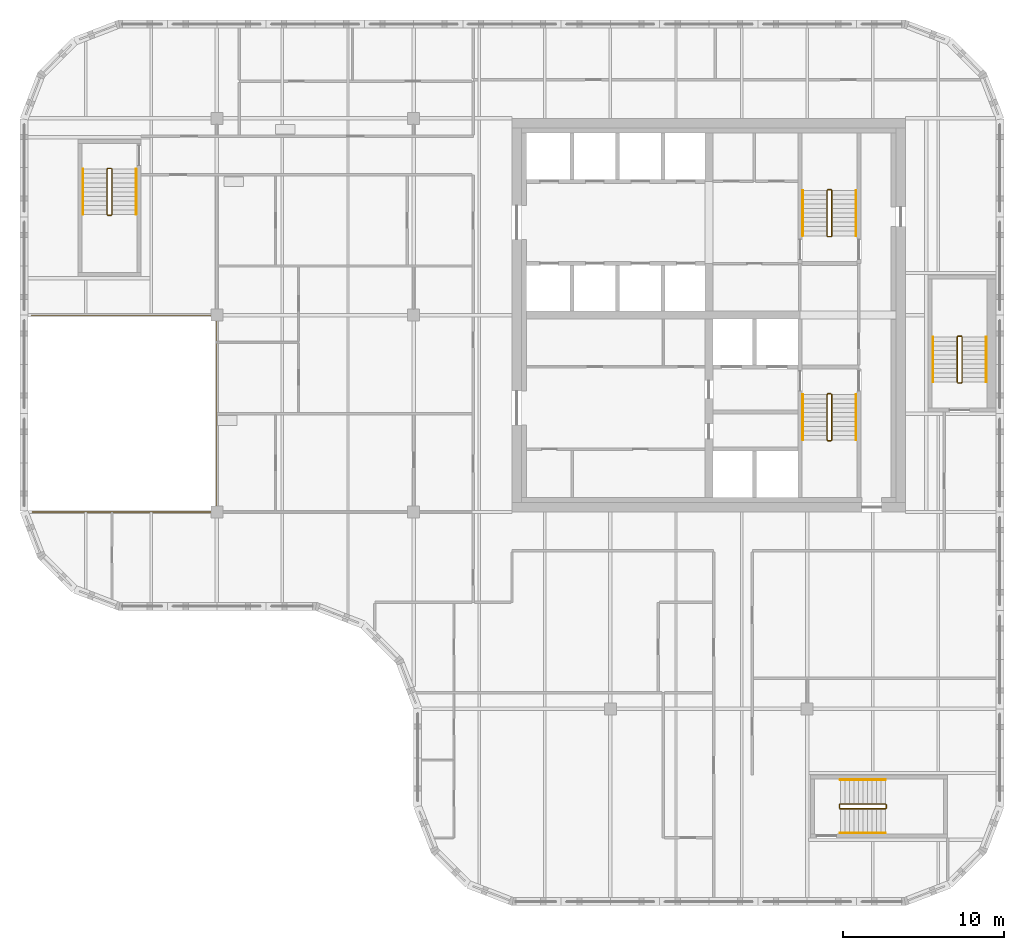
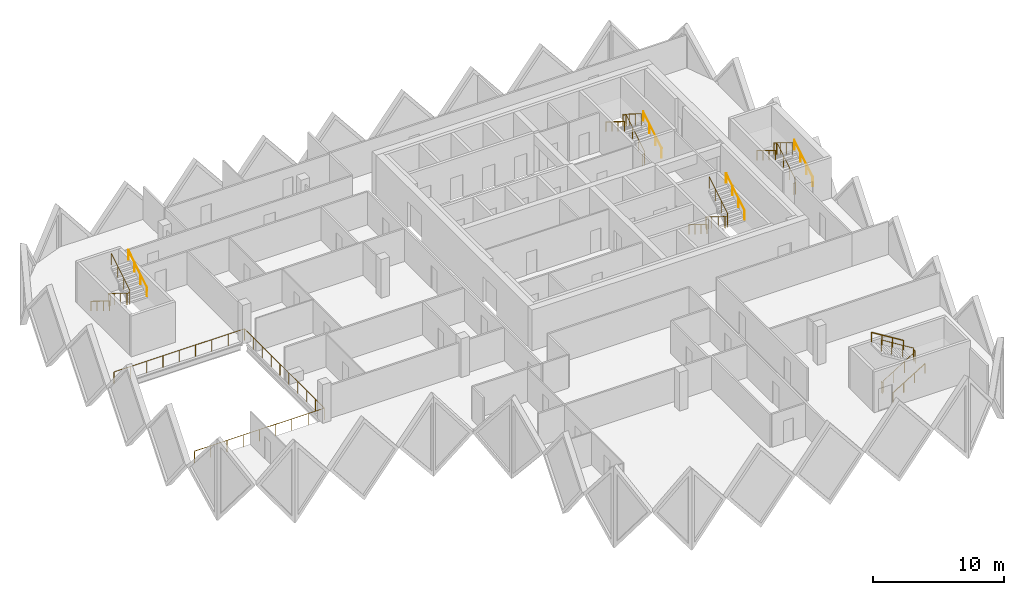
# One storey, part 11 of 12: 16 railings.
"""IFC4 building model written with IfcOpenShell, lengths in metres."""

from ifc_helpers import new_model, si_unit, direction, frame, origin, origin_2d, place, context, subcontext, project, spatial, circle, extrude, material, type_object, element, save


model = new_model("IFC4")

# Units and contexts
model_context = context("Model", 3, precision=1e-05, world=origin(), true_north=direction((0.0, 1.0)))
body_context = subcontext(model_context, "Body", "Model", "MODEL_VIEW")
ifc_project = project(units=[si_unit("LENGTHUNIT", "METRE"), si_unit("AREAUNIT", "SQUARE_METRE"), si_unit("VOLUMEUNIT", "CUBIC_METRE"), si_unit("PLANEANGLEUNIT", "RADIAN"), si_unit("MASSUNIT", "GRAM", prefix="KILO")], contexts=[model_context])

# Site, building, storey
site_placement = place(None, origin())
site = spatial("IfcSite", under=ifc_project, at=site_placement, CompositionType="ELEMENT")
building_placement = place(site_placement, origin())
building = spatial("IfcBuilding", under=site, at=building_placement, Name="Tessera Gate Towers", CompositionType="ELEMENT")
storey_placement = place(building_placement, frame((0.0, 0.0, 163.0)))
storey = spatial("IfcBuildingStorey", under=building, at=storey_placement, Name="L40", CompositionType="ELEMENT", Elevation=163.0)

# Railings
ifc_material_1 = material(Name="Toughened glass with stainless steel handrail", Category="steel")
railing_type_1 = type_object("IfcRailingType", Name="GUARD 1100 GLASS BALUSTRADE", PredefinedType="GUARDRAIL", material=ifc_material_1)
railing_1_placement = place(storey_placement, frame((0.750244140625, 24.39990234375, 0.0)))
element("IfcRailing", 1, at=railing_1_placement, inside=storey, type_object=railing_type_1, Name="Guard", PredefinedType="GUARDRAIL", context=body_context, shape_type="SweptSolid", body=[
    extrude(circle(Radius=0.02490234375, at=origin_2d()), frame((0.0, 0.0, 1.0751953125), z_axis=(1.0, 0.0, 0.0), x_axis=(0.0, 1.0, 0.0)), (0.0, 0.0, 1.0), 11.44970703125),
    extrude(circle(Radius=0.02490234375, at=origin_2d()), frame((11.44970703125, 0.0, 1.0751953125), z_axis=(0.0, 1.0, 0.0), x_axis=(-1.0, 0.0, 0.0)), (0.0, 0.0, 1.0), 12.2001953125),
    extrude(circle(Radius=0.02490234375, at=origin_2d()), frame((11.44970703125, 12.2001953125, 1.0751953125), z_axis=(-1.0, 0.0, 0.0), x_axis=(0.0, -1.0, 0.0)), (0.0, 0.0, 1.0), 11.5),
    extrude(circle(Radius=0.02490234375, at=origin_2d()), origin(), (0.0, 0.0, 1.0), 1.050048828125),
    extrude(circle(Radius=0.02490234375, at=origin_2d()), frame((1.43115234375, 0.0, 0.0)), (0.0, 0.0, 1.0), 1.050048828125),
    extrude(circle(Radius=0.02490234375, at=origin_2d()), frame((2.8623046875, 0.0, 0.0)), (0.0, 0.0, 1.0), 1.050048828125),
    extrude(circle(Radius=0.02490234375, at=origin_2d()), frame((4.293701171875, 0.0, 0.0)), (0.0, 0.0, 1.0), 1.050048828125),
    extrude(circle(Radius=0.02490234375, at=origin_2d()), frame((5.724853515625, 0.0, 0.0)), (0.0, 0.0, 1.0), 1.050048828125),
    extrude(circle(Radius=0.02490234375, at=origin_2d()), frame((7.156005859375, 0.0, 0.0)), (0.0, 0.0, 1.0), 1.050048828125),
    extrude(circle(Radius=0.02490234375, at=origin_2d()), frame((8.58740234375, 0.0, 0.0)), (0.0, 0.0, 1.0), 1.050048828125),
    extrude(circle(Radius=0.02490234375, at=origin_2d()), frame((10.0185546875, 0.0, 0.0)), (0.0, 0.0, 1.0), 1.050048828125),
    extrude(circle(Radius=0.02490234375, at=origin_2d()), frame((11.44970703125, 0.0, 0.0)), (0.0, 0.0, 1.0), 1.050048828125),
    extrude(circle(Radius=0.02490234375, at=origin_2d()), frame((11.44970703125, 1.35546875, 0.0)), (0.0, 0.0, 1.0), 1.050048828125),
    extrude(circle(Radius=0.02490234375, at=origin_2d()), frame((11.44970703125, 2.711181640625, 0.0)), (0.0, 0.0, 1.0), 1.050048828125),
    extrude(circle(Radius=0.02490234375, at=origin_2d()), frame((11.44970703125, 4.066650390625, 0.0)), (0.0, 0.0, 1.0), 1.050048828125),
    extrude(circle(Radius=0.02490234375, at=origin_2d()), frame((11.44970703125, 5.42236328125, 0.0)), (0.0, 0.0, 1.0), 1.050048828125),
    extrude(circle(Radius=0.02490234375, at=origin_2d()), frame((11.44970703125, 6.77783203125, 0.0)), (0.0, 0.0, 1.0), 1.050048828125),
    extrude(circle(Radius=0.02490234375, at=origin_2d()), frame((11.44970703125, 8.133544921875, 0.0)), (0.0, 0.0, 1.0), 1.050048828125),
    extrude(circle(Radius=0.02490234375, at=origin_2d()), frame((11.44970703125, 9.489013671875, 0.0)), (0.0, 0.0, 1.0), 1.050048828125),
    extrude(circle(Radius=0.02490234375, at=origin_2d()), frame((11.44970703125, 10.8447265625, 0.0)), (0.0, 0.0, 1.0), 1.050048828125),
    extrude(circle(Radius=0.02490234375, at=origin_2d()), frame((11.44970703125, 12.2001953125, 0.0)), (0.0, 0.0, 1.0), 1.050048828125),
    extrude(circle(Radius=0.02490234375, at=origin_2d()), frame((10.01220703125, 12.2001953125, 0.0)), (0.0, 0.0, 1.0), 1.050048828125),
    extrude(circle(Radius=0.02490234375, at=origin_2d()), frame((8.57470703125, 12.2001953125, 0.0)), (0.0, 0.0, 1.0), 1.050048828125),
    extrude(circle(Radius=0.02490234375, at=origin_2d()), frame((7.13720703125, 12.2001953125, 0.0)), (0.0, 0.0, 1.0), 1.050048828125),
    extrude(circle(Radius=0.02490234375, at=origin_2d()), frame((5.69970703125, 12.2001953125, 0.0)), (0.0, 0.0, 1.0), 1.050048828125),
    extrude(circle(Radius=0.02490234375, at=origin_2d()), frame((4.26220703125, 12.2001953125, 0.0)), (0.0, 0.0, 1.0), 1.050048828125),
    extrude(circle(Radius=0.02490234375, at=origin_2d()), frame((2.82470703125, 12.2001953125, 0.0)), (0.0, 0.0, 1.0), 1.050048828125),
    extrude(circle(Radius=0.02490234375, at=origin_2d()), frame((1.38720703125, 12.2001953125, 0.0)), (0.0, 0.0, 1.0), 1.050048828125),
    extrude(circle(Radius=0.02490234375, at=origin_2d()), frame((-0.05029296875, 12.2001953125, 0.0)), (0.0, 0.0, 1.0), 1.050048828125),
])
ifc_material_2 = material(Name="Steel 350W", Category="steel")
railing_type_2 = type_object("IfcRailingType", Name="STAIR GUARD 1100", PredefinedType="GUARDRAIL", material=ifc_material_2)
railing_2_placement = place(storey_placement, frame((50.27490234375, 31.72509765625, 0.0)))
element("IfcRailing", 2, at=railing_2_placement, inside=storey, type_object=railing_type_2, Name="L40 ST1 stair guard 1", PredefinedType="GUARDRAIL", context=body_context, shape_type="SweptSolid", body=[
    extrude(circle(Radius=0.02392578125, at=origin_2d()), frame((0.0, 0.0, 1.076171875), z_axis=(-1.0, 0.0, 0.0), x_axis=(0.0, -1.0, 0.0)), (0.0, 0.0, 1.0), 0.199951171875),
    extrude(circle(Radius=0.02392578125, at=origin_2d()), frame((-0.199951171875, 0.0, 1.076171875), z_axis=(-0.268277960024, -0.268277960024, 0.925231793839), x_axis=(0.707106781187, -0.707106781187, 0.0)), (0.0, 0.0, 1.0), 0.1865234375),
    extrude(circle(Radius=0.02392578125, at=origin_2d()), frame((-0.25, -0.050048828125, 1.24853515625), z_axis=(0.0, -0.851089632645, 0.525020415988), x_axis=(1.0, 0.0, 0.0)), (0.0, 0.0, 1.0), 3.2900390625),
    extrude(circle(Radius=0.02392578125, at=origin_2d()), frame((-0.25, -2.85009765625, 2.97607421875), z_axis=(0.707106781187, -0.707106781187, 0.0), x_axis=(0.707106781187, 0.707106781187, 0.0)), (0.0, 0.0, 1.0), 0.07080078125),
    extrude(circle(Radius=0.02392578125, at=origin_2d()), frame((-0.199951171875, -2.900146484375, 2.97607421875), z_axis=(1.0, 0.0, 0.0), x_axis=(0.0, 1.0, 0.0)), (0.0, 0.0, 1.0), 0.199951171875),
    extrude(circle(Radius=0.02392578125, at=origin_2d()), frame((0.0, -2.900146484375, 2.97607421875), z_axis=(0.267953482034, 0.267953482034, 0.925419830635), x_axis=(-0.707106781187, 0.707106781187, 0.0)), (0.0, 0.0, 1.0), 0.186767578125),
    extrude(circle(Radius=0.02392578125, at=origin_2d()), frame((0.050048828125, -2.85009765625, 3.14892578125), z_axis=(0.0, 0.851089632645, 0.525020415988), x_axis=(-1.0, 0.0, 0.0)), (0.0, 0.0, 1.0), 3.2900390625),
    extrude(circle(Radius=0.02099609375, at=origin_2d()), origin(), (0.0, 0.0, 1.0), 1.052001953125),
    extrude(circle(Radius=0.02099609375, at=origin_2d()), frame((-0.199951171875, 0.0, 0.0)), (0.0, 0.0, 1.0), 1.052001953125),
    extrude(circle(Radius=0.02099609375, at=origin_2d()), frame((-0.25, -0.050048828125, 0.172607421875)), (0.0, 0.0, 1.0), 1.052001953125),
    extrude(circle(Radius=0.02099609375, at=origin_2d()), frame((-0.25, -0.9833984375, 0.748291015625)), (0.0, 0.0, 1.0), 1.052001953125),
    extrude(circle(Radius=0.02099609375, at=origin_2d()), frame((-0.25, -1.916748046875, 1.32421875)), (0.0, 0.0, 1.0), 1.052001953125),
    extrude(circle(Radius=0.02099609375, at=origin_2d()), frame((-0.25, -2.85009765625, 1.89990234375)), (0.0, 0.0, 1.0), 1.052001953125),
    extrude(circle(Radius=0.02099609375, at=origin_2d()), frame((-0.199951171875, -2.900146484375, 1.89990234375)), (0.0, 0.0, 1.0), 1.052001953125),
    extrude(circle(Radius=0.02099609375, at=origin_2d()), frame((0.0, -2.900146484375, 1.89990234375)), (0.0, 0.0, 1.0), 1.052001953125),
    extrude(circle(Radius=0.02099609375, at=origin_2d()), frame((0.050048828125, -2.85009765625, 2.07275390625)), (0.0, 0.0, 1.0), 1.052001953125),
    extrude(circle(Radius=0.02099609375, at=origin_2d()), frame((0.050048828125, -1.916748046875, 2.6484375)), (0.0, 0.0, 1.0), 1.052001953125),
    extrude(circle(Radius=0.02099609375, at=origin_2d()), frame((0.050048828125, -0.9833984375, 3.224365234375)), (0.0, 0.0, 1.0), 1.052001953125),
    extrude(circle(Radius=0.02099609375, at=origin_2d()), frame((0.050048828125, -0.050048828125, 3.800048828125)), (0.0, 0.0, 1.0), 1.052001953125),
])
railing_3_placement = place(storey_placement, frame((50.074951171875, 41.47509765625, 0.0)))
element("IfcRailing", 3, at=railing_3_placement, inside=storey, type_object=railing_type_2, Name="L40 ST2 stair guard 1", PredefinedType="GUARDRAIL", context=body_context, shape_type="SweptSolid", body=[
    extrude(circle(Radius=0.02392578125, at=origin_2d()), frame((0.0, 0.0, 1.076171875), z_axis=(1.0, 0.0, 0.0), x_axis=(0.0, 1.0, 0.0)), (0.0, 0.0, 1.0), 0.199951171875),
    extrude(circle(Radius=0.02392578125, at=origin_2d()), frame((0.199951171875, 0.0, 1.076171875), z_axis=(0.268371968888, 0.267062837333, 0.925556009775), x_axis=(-0.705375805398, 0.708833529934, 0.0)), (0.0, 0.0, 1.0), 0.1865234375),
    extrude(circle(Radius=0.02392578125, at=origin_2d()), frame((0.25, 0.0498046875, 1.24853515625), z_axis=(0.0, 0.851089632645, 0.525020415988), x_axis=(-1.0, 0.0, 0.0)), (0.0, 0.0, 1.0), 3.2900390625),
    extrude(circle(Radius=0.02392578125, at=origin_2d()), frame((0.25, 2.849853515625, 2.97607421875), z_axis=(-0.707106781187, 0.707106781187, 0.0), x_axis=(-0.707106781187, -0.707106781187, 0.0)), (0.0, 0.0, 1.0), 0.07080078125),
    extrude(circle(Radius=0.02392578125, at=origin_2d()), frame((0.199951171875, 2.89990234375, 2.97607421875), z_axis=(-1.0, 0.0, 0.0), x_axis=(0.0, -1.0, 0.0)), (0.0, 0.0, 1.0), 0.199951171875),
    extrude(circle(Radius=0.02392578125, at=origin_2d()), frame((0.0, 2.89990234375, 2.97607421875), z_axis=(-0.267953482034, -0.267953482034, 0.925419830635), x_axis=(0.707106781187, -0.707106781187, 0.0)), (0.0, 0.0, 1.0), 0.186767578125),
    extrude(circle(Radius=0.02392578125, at=origin_2d()), frame((-0.050048828125, 2.849853515625, 3.14892578125), z_axis=(0.0, -0.851089632645, 0.525020415988), x_axis=(1.0, 0.0, 0.0)), (0.0, 0.0, 1.0), 3.2900390625),
    extrude(circle(Radius=0.02099609375, at=origin_2d()), origin(), (0.0, 0.0, 1.0), 1.052001953125),
    extrude(circle(Radius=0.02099609375, at=origin_2d()), frame((0.199951171875, 0.0, 0.0)), (0.0, 0.0, 1.0), 1.052001953125),
    extrude(circle(Radius=0.02099609375, at=origin_2d()), frame((0.25, 0.0498046875, 0.172607421875)), (0.0, 0.0, 1.0), 1.052001953125),
    extrude(circle(Radius=0.02099609375, at=origin_2d()), frame((0.25, 0.983154296875, 0.748291015625)), (0.0, 0.0, 1.0), 1.052001953125),
    extrude(circle(Radius=0.02099609375, at=origin_2d()), frame((0.25, 1.91650390625, 1.32421875)), (0.0, 0.0, 1.0), 1.052001953125),
    extrude(circle(Radius=0.02099609375, at=origin_2d()), frame((0.25, 2.849853515625, 1.89990234375)), (0.0, 0.0, 1.0), 1.052001953125),
    extrude(circle(Radius=0.02099609375, at=origin_2d()), frame((0.199951171875, 2.89990234375, 1.89990234375)), (0.0, 0.0, 1.0), 1.052001953125),
    extrude(circle(Radius=0.02099609375, at=origin_2d()), frame((0.0, 2.89990234375, 1.89990234375)), (0.0, 0.0, 1.0), 1.052001953125),
    extrude(circle(Radius=0.02099609375, at=origin_2d()), frame((-0.050048828125, 2.849853515625, 2.07275390625)), (0.0, 0.0, 1.0), 1.052001953125),
    extrude(circle(Radius=0.02099609375, at=origin_2d()), frame((-0.050048828125, 1.91650390625, 2.6484375)), (0.0, 0.0, 1.0), 1.052001953125),
    extrude(circle(Radius=0.02099609375, at=origin_2d()), frame((-0.050048828125, 0.983154296875, 3.224365234375)), (0.0, 0.0, 1.0), 1.052001953125),
    extrude(circle(Radius=0.02099609375, at=origin_2d()), frame((-0.050048828125, 0.0498046875, 3.800048828125)), (0.0, 0.0, 1.0), 1.052001953125),
])
railing_4_placement = place(storey_placement, frame((5.64990234375, 45.699951171875, 0.0)))
element("IfcRailing", 4, at=railing_4_placement, inside=storey, type_object=railing_type_2, Name="L40 ST3 stair guard 1", PredefinedType="GUARDRAIL", context=body_context, shape_type="SweptSolid", body=[
    extrude(circle(Radius=0.02392578125, at=origin_2d()), frame((0.0, 0.0, 1.076171875), z_axis=(-1.0, 0.0, 0.0), x_axis=(0.0, -1.0, 0.0)), (0.0, 0.0, 1.0), 0.199951171875),
    extrude(circle(Radius=0.02392578125, at=origin_2d()), frame((-0.199951171875, 0.0, 1.076171875), z_axis=(-0.268277960024, -0.268277960024, 0.925231793839), x_axis=(0.707106781187, -0.707106781187, 0.0)), (0.0, 0.0, 1.0), 0.1865234375),
    extrude(circle(Radius=0.02392578125, at=origin_2d()), frame((-0.25, -0.050048828125, 1.24853515625), z_axis=(0.0, -0.851069175582, 0.525053576669), x_axis=(1.0, 0.0, 0.0)), (0.0, 0.0, 1.0), 3.289794921875),
    extrude(circle(Radius=0.02392578125, at=origin_2d()), frame((-0.25, -2.849853515625, 2.97607421875), z_axis=(0.707106781187, -0.707106781187, 0.0), x_axis=(0.707106781187, 0.707106781187, 0.0)), (0.0, 0.0, 1.0), 0.07080078125),
    extrude(circle(Radius=0.02392578125, at=origin_2d()), frame((-0.199951171875, -2.89990234375, 2.97607421875), z_axis=(1.0, 0.0, 0.0), x_axis=(0.0, 1.0, 0.0)), (0.0, 0.0, 1.0), 0.199951171875),
    extrude(circle(Radius=0.02392578125, at=origin_2d()), frame((0.0, -2.89990234375, 2.97607421875), z_axis=(0.267953482034, 0.267953482034, 0.925419830635), x_axis=(-0.707106781187, 0.707106781187, 0.0)), (0.0, 0.0, 1.0), 0.186767578125),
    extrude(circle(Radius=0.02392578125, at=origin_2d()), frame((0.050048828125, -2.849853515625, 3.14892578125), z_axis=(0.0, 0.851069175582, 0.525053576669), x_axis=(-1.0, 0.0, 0.0)), (0.0, 0.0, 1.0), 3.289794921875),
    extrude(circle(Radius=0.02099609375, at=origin_2d()), origin(), (0.0, 0.0, 1.0), 1.052001953125),
    extrude(circle(Radius=0.02099609375, at=origin_2d()), frame((-0.199951171875, 0.0, 0.0)), (0.0, 0.0, 1.0), 1.052001953125),
    extrude(circle(Radius=0.02099609375, at=origin_2d()), frame((-0.25, -0.050048828125, 0.172607421875)), (0.0, 0.0, 1.0), 1.052001953125),
    extrude(circle(Radius=0.02099609375, at=origin_2d()), frame((-0.25, -0.9833984375, 0.748291015625)), (0.0, 0.0, 1.0), 1.052001953125),
    extrude(circle(Radius=0.02099609375, at=origin_2d()), frame((-0.25, -1.91650390625, 1.32421875)), (0.0, 0.0, 1.0), 1.052001953125),
    extrude(circle(Radius=0.02099609375, at=origin_2d()), frame((-0.25, -2.849853515625, 1.89990234375)), (0.0, 0.0, 1.0), 1.052001953125),
    extrude(circle(Radius=0.02099609375, at=origin_2d()), frame((-0.199951171875, -2.89990234375, 1.89990234375)), (0.0, 0.0, 1.0), 1.052001953125),
    extrude(circle(Radius=0.02099609375, at=origin_2d()), frame((0.0, -2.89990234375, 1.89990234375)), (0.0, 0.0, 1.0), 1.052001953125),
    extrude(circle(Radius=0.02099609375, at=origin_2d()), frame((0.050048828125, -2.849853515625, 2.07275390625)), (0.0, 0.0, 1.0), 1.052001953125),
    extrude(circle(Radius=0.02099609375, at=origin_2d()), frame((0.050048828125, -1.91650390625, 2.6484375)), (0.0, 0.0, 1.0), 1.052001953125),
    extrude(circle(Radius=0.02099609375, at=origin_2d()), frame((0.050048828125, -0.9833984375, 3.224365234375)), (0.0, 0.0, 1.0), 1.052001953125),
    extrude(circle(Radius=0.02099609375, at=origin_2d()), frame((0.050048828125, -0.050048828125, 3.800048828125)), (0.0, 0.0, 1.0), 1.052001953125),
])
railing_5_placement = place(storey_placement, frame((50.800048828125, 6.25, 0.0)))
element("IfcRailing", 5, at=railing_5_placement, inside=storey, type_object=railing_type_2, Name="L40 ST4 stair guard 1", PredefinedType="GUARDRAIL", context=body_context, shape_type="SweptSolid", body=[
    extrude(circle(Radius=0.02392578125, at=origin_2d()), frame((0.0, 0.0, 1.076171875), z_axis=(0.0, -1.0, 0.0), x_axis=(1.0, 0.0, 0.0)), (0.0, 0.0, 1.0), 0.199951171875),
    extrude(circle(Radius=0.02392578125, at=origin_2d()), frame((0.0, -0.199951171875, 1.076171875), z_axis=(0.268277960024, -0.268277960024, 0.925231793839), x_axis=(0.707106781187, 0.707106781187, 0.0)), (0.0, 0.0, 1.0), 0.1865234375),
    extrude(circle(Radius=0.02392578125, at=origin_2d()), frame((0.050048828125, -0.25, 1.24853515625), z_axis=(0.851069175582, 0.0, 0.525053576669), x_axis=(0.0, 1.0, 0.0)), (0.0, 0.0, 1.0), 3.289794921875),
    extrude(circle(Radius=0.02392578125, at=origin_2d()), frame((2.849853515625, -0.25, 2.97607421875), z_axis=(0.707106781187, 0.707106781187, 0.0), x_axis=(-0.707106781187, 0.707106781187, 0.0)), (0.0, 0.0, 1.0), 0.07080078125),
    extrude(circle(Radius=0.02392578125, at=origin_2d()), frame((2.89990234375, -0.199951171875, 2.97607421875), z_axis=(0.0, 1.0, 0.0), x_axis=(-1.0, 0.0, 0.0)), (0.0, 0.0, 1.0), 0.199951171875),
    extrude(circle(Radius=0.02392578125, at=origin_2d()), frame((2.89990234375, 0.0, 2.97607421875), z_axis=(-0.267953482034, 0.267953482034, 0.925419830635), x_axis=(-0.707106781187, -0.707106781187, 0.0)), (0.0, 0.0, 1.0), 0.186767578125),
    extrude(circle(Radius=0.02392578125, at=origin_2d()), frame((2.849853515625, 0.050048828125, 3.14892578125), z_axis=(-0.851069175582, 0.0, 0.525053576669), x_axis=(0.0, -1.0, 0.0)), (0.0, 0.0, 1.0), 3.289794921875),
    extrude(circle(Radius=0.02099609375, at=origin_2d()), origin(), (0.0, 0.0, 1.0), 1.052001953125),
    extrude(circle(Radius=0.02099609375, at=origin_2d()), frame((0.0, -0.199951171875, 0.0)), (0.0, 0.0, 1.0), 1.052001953125),
    extrude(circle(Radius=0.02099609375, at=origin_2d()), frame((0.050048828125, -0.25, 0.172607421875)), (0.0, 0.0, 1.0), 1.052001953125),
    extrude(circle(Radius=0.02099609375, at=origin_2d()), frame((0.9833984375, -0.25, 0.748291015625)), (0.0, 0.0, 1.0), 1.052001953125),
    extrude(circle(Radius=0.02099609375, at=origin_2d()), frame((1.91650390625, -0.25, 1.32421875)), (0.0, 0.0, 1.0), 1.052001953125),
    extrude(circle(Radius=0.02099609375, at=origin_2d()), frame((2.849853515625, -0.25, 1.89990234375)), (0.0, 0.0, 1.0), 1.052001953125),
    extrude(circle(Radius=0.02099609375, at=origin_2d()), frame((2.89990234375, -0.199951171875, 1.89990234375)), (0.0, 0.0, 1.0), 1.052001953125),
    extrude(circle(Radius=0.02099609375, at=origin_2d()), frame((2.89990234375, 0.0, 1.89990234375)), (0.0, 0.0, 1.0), 1.052001953125),
    extrude(circle(Radius=0.02099609375, at=origin_2d()), frame((2.849853515625, 0.050048828125, 2.07275390625)), (0.0, 0.0, 1.0), 1.052001953125),
    extrude(circle(Radius=0.02099609375, at=origin_2d()), frame((1.91650390625, 0.050048828125, 2.6484375)), (0.0, 0.0, 1.0), 1.052001953125),
    extrude(circle(Radius=0.02099609375, at=origin_2d()), frame((0.9833984375, 0.050048828125, 3.224365234375)), (0.0, 0.0, 1.0), 1.052001953125),
    extrude(circle(Radius=0.02099609375, at=origin_2d()), frame((0.050048828125, 0.050048828125, 3.800048828125)), (0.0, 0.0, 1.0), 1.052001953125),
])
railing_6_placement = place(storey_placement, frame((58.14990234375, 32.39990234375, 0.0)))
element("IfcRailing", 6, at=railing_6_placement, inside=storey, type_object=railing_type_2, Name="L40 ST5 stair guard 1", PredefinedType="GUARDRAIL", context=body_context, shape_type="SweptSolid", body=[
    extrude(circle(Radius=0.02392578125, at=origin_2d()), frame((0.0, 0.0, 1.076171875), z_axis=(1.0, 0.0, 0.0), x_axis=(0.0, 1.0, 0.0)), (0.0, 0.0, 1.0), 0.2001953125),
    extrude(circle(Radius=0.02392578125, at=origin_2d()), frame((0.2001953125, 0.0, 1.076171875), z_axis=(0.267062837333, 0.268371968888, 0.925556009775), x_axis=(-0.708833529934, 0.705375805398, 0.0)), (0.0, 0.0, 1.0), 0.1865234375),
    extrude(circle(Radius=0.02392578125, at=origin_2d()), frame((0.25, 0.050048828125, 1.24853515625), z_axis=(0.0, 0.851089632645, 0.525020415988), x_axis=(-1.0, 0.0, 0.0)), (0.0, 0.0, 1.0), 3.2900390625),
    extrude(circle(Radius=0.02392578125, at=origin_2d()), frame((0.25, 2.85009765625, 2.97607421875), z_axis=(-0.705375805398, 0.708833529934, 0.0), x_axis=(-0.708833529934, -0.705375805398, 0.0)), (0.0, 0.0, 1.0), 0.070556640625),
    extrude(circle(Radius=0.02392578125, at=origin_2d()), frame((0.2001953125, 2.900146484375, 2.97607421875), z_axis=(-1.0, 0.0, 0.0), x_axis=(0.0, -1.0, 0.0)), (0.0, 0.0, 1.0), 0.2001953125),
    extrude(circle(Radius=0.02392578125, at=origin_2d()), frame((0.0, 2.900146484375, 2.97607421875), z_axis=(-0.266739603011, -0.268047150085, 0.925743328097), x_axis=(0.708833529934, -0.705375805398, 0.0)), (0.0, 0.0, 1.0), 0.186767578125),
    extrude(circle(Radius=0.02392578125, at=origin_2d()), frame((-0.0498046875, 2.85009765625, 3.14892578125), z_axis=(0.0, -0.851089632645, 0.525020415988), x_axis=(1.0, 0.0, 0.0)), (0.0, 0.0, 1.0), 3.2900390625),
    extrude(circle(Radius=0.02099609375, at=origin_2d()), origin(), (0.0, 0.0, 1.0), 1.052001953125),
    extrude(circle(Radius=0.02099609375, at=origin_2d()), frame((0.2001953125, 0.0, 0.0)), (0.0, 0.0, 1.0), 1.052001953125),
    extrude(circle(Radius=0.02099609375, at=origin_2d()), frame((0.25, 0.050048828125, 0.172607421875)), (0.0, 0.0, 1.0), 1.052001953125),
    extrude(circle(Radius=0.02099609375, at=origin_2d()), frame((0.25, 0.9833984375, 0.748291015625)), (0.0, 0.0, 1.0), 1.052001953125),
    extrude(circle(Radius=0.02099609375, at=origin_2d()), frame((0.25, 1.916748046875, 1.32421875)), (0.0, 0.0, 1.0), 1.052001953125),
    extrude(circle(Radius=0.02099609375, at=origin_2d()), frame((0.25, 2.85009765625, 1.89990234375)), (0.0, 0.0, 1.0), 1.052001953125),
    extrude(circle(Radius=0.02099609375, at=origin_2d()), frame((0.2001953125, 2.900146484375, 1.89990234375)), (0.0, 0.0, 1.0), 1.052001953125),
    extrude(circle(Radius=0.02099609375, at=origin_2d()), frame((0.0, 2.900146484375, 1.89990234375)), (0.0, 0.0, 1.0), 1.052001953125),
    extrude(circle(Radius=0.02099609375, at=origin_2d()), frame((-0.0498046875, 2.85009765625, 2.07275390625)), (0.0, 0.0, 1.0), 1.052001953125),
    extrude(circle(Radius=0.02099609375, at=origin_2d()), frame((-0.0498046875, 1.916748046875, 2.6484375)), (0.0, 0.0, 1.0), 1.052001953125),
    extrude(circle(Radius=0.02099609375, at=origin_2d()), frame((-0.0498046875, 0.9833984375, 3.224365234375)), (0.0, 0.0, 1.0), 1.052001953125),
    extrude(circle(Radius=0.02099609375, at=origin_2d()), frame((-0.0498046875, 0.050048828125, 3.800048828125)), (0.0, 0.0, 1.0), 1.052001953125),
])
ifc_material_3 = material(Name="Steel 350W", Category="steel")
railing_type_3 = type_object("IfcRailingType", Name="STAIR HANDRAIL 900", PredefinedType="HANDRAIL", material=ifc_material_3)
railing_7_placement = place(storey_placement, frame((48.52490234375, 31.675048828125, 0.172607421875)))
element("IfcRailing", 7, at=railing_7_placement, inside=storey, type_object=railing_type_3, Name="L40 ST1 stair handrail 1", PredefinedType="HANDRAIL", context=body_context, shape_type="SweptSolid", body=[
    extrude(circle(Radius=0.02392578125, at=origin_2d()), frame((0.0, 0.0, 0.8759765625), z_axis=(0.0, -0.851089632645, 0.525020415988), x_axis=(1.0, 0.0, 0.0)), (0.0, 0.0, 1.0), 3.2900390625),
    extrude(circle(Radius=0.02099609375, at=origin_2d()), origin(), (0.0, 0.0, 1.0), 0.851806640625),
    extrude(circle(Radius=0.02099609375, at=origin_2d()), frame((0.0, -0.933349609375, 0.57568359375)), (0.0, 0.0, 1.0), 0.851806640625),
    extrude(circle(Radius=0.02099609375, at=origin_2d()), frame((0.0, -1.86669921875, 1.151611328125)), (0.0, 0.0, 1.0), 0.851806640625),
    extrude(circle(Radius=0.02099609375, at=origin_2d()), frame((0.0, -2.800048828125, 1.727294921875)), (0.0, 0.0, 1.0), 0.851806640625),
])
for number, where, name in (
    (8, (51.824951171875, 28.875, 2.07275390625), "L40 ST1 stair handrail 2"),
    (9, (51.824951171875, 41.52490234375, 0.172607421875), "L40 ST2 stair handrail 1"),
):
    element("IfcRailing", number, at=place(storey_placement, frame(where)), inside=storey, type_object=railing_type_3, Name=name, PredefinedType="HANDRAIL", context=body_context, shape_type="SweptSolid", body=[
        extrude(circle(Radius=0.02392578125, at=origin_2d()), frame((0.0, 0.0, 0.8759765625), z_axis=(0.0, 0.851089632645, 0.525020415988), x_axis=(-1.0, 0.0, 0.0)), (0.0, 0.0, 1.0), 3.2900390625),
        extrude(circle(Radius=0.02099609375, at=origin_2d()), origin(), (0.0, 0.0, 1.0), 0.851806640625),
        extrude(circle(Radius=0.02099609375, at=origin_2d()), frame((0.0, 0.933349609375, 0.57568359375)), (0.0, 0.0, 1.0), 0.851806640625),
        extrude(circle(Radius=0.02099609375, at=origin_2d()), frame((0.0, 1.86669921875, 1.151611328125)), (0.0, 0.0, 1.0), 0.851806640625),
        extrude(circle(Radius=0.02099609375, at=origin_2d()), frame((0.0, 2.800048828125, 1.727294921875)), (0.0, 0.0, 1.0), 0.851806640625),
    ])
railing_8_placement = place(storey_placement, frame((48.52490234375, 44.324951171875, 2.07275390625)))
element("IfcRailing", 10, at=railing_8_placement, inside=storey, type_object=railing_type_3, Name="L40 ST2 stair handrail 2", PredefinedType="HANDRAIL", context=body_context, shape_type="SweptSolid", body=[
    extrude(circle(Radius=0.02392578125, at=origin_2d()), frame((0.0, 0.0, 0.8759765625), z_axis=(0.0, -0.851089632645, 0.525020415988), x_axis=(1.0, 0.0, 0.0)), (0.0, 0.0, 1.0), 3.2900390625),
    extrude(circle(Radius=0.02099609375, at=origin_2d()), origin(), (0.0, 0.0, 1.0), 0.851806640625),
    extrude(circle(Radius=0.02099609375, at=origin_2d()), frame((0.0, -0.933349609375, 0.57568359375)), (0.0, 0.0, 1.0), 0.851806640625),
    extrude(circle(Radius=0.02099609375, at=origin_2d()), frame((0.0, -1.86669921875, 1.151611328125)), (0.0, 0.0, 1.0), 0.851806640625),
    extrude(circle(Radius=0.02099609375, at=origin_2d()), frame((0.0, -2.800048828125, 1.727294921875)), (0.0, 0.0, 1.0), 0.851806640625),
])
railing_9_placement = place(storey_placement, frame((3.89990234375, 45.64990234375, 0.172607421875)))
element("IfcRailing", 11, at=railing_9_placement, inside=storey, type_object=railing_type_3, Name="L40 ST3 stair handrail 1", PredefinedType="HANDRAIL", context=body_context, shape_type="SweptSolid", body=[
    extrude(circle(Radius=0.02392578125, at=origin_2d()), frame((0.0, 0.0, 0.8759765625), z_axis=(0.0, -0.851069175582, 0.525053576669), x_axis=(1.0, 0.0, 0.0)), (0.0, 0.0, 1.0), 3.289794921875),
    extrude(circle(Radius=0.02099609375, at=origin_2d()), origin(), (0.0, 0.0, 1.0), 0.851806640625),
    extrude(circle(Radius=0.02099609375, at=origin_2d()), frame((0.0, -0.933349609375, 0.57568359375)), (0.0, 0.0, 1.0), 0.851806640625),
    extrude(circle(Radius=0.02099609375, at=origin_2d()), frame((0.0, -1.866455078125, 1.151611328125)), (0.0, 0.0, 1.0), 0.851806640625),
    extrude(circle(Radius=0.02099609375, at=origin_2d()), frame((0.0, -2.7998046875, 1.727294921875)), (0.0, 0.0, 1.0), 0.851806640625),
])
railing_10_placement = place(storey_placement, frame((7.199951171875, 42.85009765625, 2.07275390625)))
element("IfcRailing", 12, at=railing_10_placement, inside=storey, type_object=railing_type_3, Name="L40 ST3 stair handrail 2", PredefinedType="HANDRAIL", context=body_context, shape_type="SweptSolid", body=[
    extrude(circle(Radius=0.02392578125, at=origin_2d()), frame((0.0, 0.0, 0.8759765625), z_axis=(0.0, 0.851069175582, 0.525053576669), x_axis=(-1.0, 0.0, 0.0)), (0.0, 0.0, 1.0), 3.289794921875),
    extrude(circle(Radius=0.02099609375, at=origin_2d()), origin(), (0.0, 0.0, 1.0), 0.851806640625),
    extrude(circle(Radius=0.02099609375, at=origin_2d()), frame((0.0, 0.933349609375, 0.57568359375)), (0.0, 0.0, 1.0), 0.851806640625),
    extrude(circle(Radius=0.02099609375, at=origin_2d()), frame((0.0, 1.866455078125, 1.151611328125)), (0.0, 0.0, 1.0), 0.851806640625),
    extrude(circle(Radius=0.02099609375, at=origin_2d()), frame((0.0, 2.7998046875, 1.727294921875)), (0.0, 0.0, 1.0), 0.851806640625),
])
railing_11_placement = place(storey_placement, frame((50.85009765625, 4.5, 0.172607421875)))
element("IfcRailing", 13, at=railing_11_placement, inside=storey, type_object=railing_type_3, Name="L40 ST4 stair handrail 1", PredefinedType="HANDRAIL", context=body_context, shape_type="SweptSolid", body=[
    extrude(circle(Radius=0.02392578125, at=origin_2d()), frame((0.0, 0.0, 0.8759765625), z_axis=(0.851069175582, 0.0, 0.525053576669), x_axis=(0.0, 1.0, 0.0)), (0.0, 0.0, 1.0), 3.289794921875),
    extrude(circle(Radius=0.02099609375, at=origin_2d()), origin(), (0.0, 0.0, 1.0), 0.851806640625),
    extrude(circle(Radius=0.02099609375, at=origin_2d()), frame((0.933349609375, 0.0, 0.57568359375)), (0.0, 0.0, 1.0), 0.851806640625),
    extrude(circle(Radius=0.02099609375, at=origin_2d()), frame((1.866455078125, 0.0, 1.151611328125)), (0.0, 0.0, 1.0), 0.851806640625),
    extrude(circle(Radius=0.02099609375, at=origin_2d()), frame((2.7998046875, 0.0, 1.727294921875)), (0.0, 0.0, 1.0), 0.851806640625),
])
railing_12_placement = place(storey_placement, frame((53.64990234375, 7.800048828125, 2.07275390625)))
element("IfcRailing", 14, at=railing_12_placement, inside=storey, type_object=railing_type_3, Name="L40 ST4 stair handrail 2", PredefinedType="HANDRAIL", context=body_context, shape_type="SweptSolid", body=[
    extrude(circle(Radius=0.02392578125, at=origin_2d()), frame((0.0, 0.0, 0.8759765625), z_axis=(-0.851069175582, 0.0, 0.525053576669), x_axis=(0.0, -1.0, 0.0)), (0.0, 0.0, 1.0), 3.289794921875),
    extrude(circle(Radius=0.02099609375, at=origin_2d()), origin(), (0.0, 0.0, 1.0), 0.851806640625),
    extrude(circle(Radius=0.02099609375, at=origin_2d()), frame((-0.933349609375, 0.0, 0.57568359375)), (0.0, 0.0, 1.0), 0.851806640625),
    extrude(circle(Radius=0.02099609375, at=origin_2d()), frame((-1.866455078125, 0.0, 1.151611328125)), (0.0, 0.0, 1.0), 0.851806640625),
    extrude(circle(Radius=0.02099609375, at=origin_2d()), frame((-2.7998046875, 0.0, 1.727294921875)), (0.0, 0.0, 1.0), 0.851806640625),
])
railing_13_placement = place(storey_placement, frame((59.89990234375, 32.449951171875, 0.172607421875)))
element("IfcRailing", 15, at=railing_13_placement, inside=storey, type_object=railing_type_3, Name="L40 ST5 stair handrail 1", PredefinedType="HANDRAIL", context=body_context, shape_type="SweptSolid", body=[
    extrude(circle(Radius=0.02392578125, at=origin_2d()), frame((0.0, 0.0, 0.8759765625), z_axis=(0.0, 0.851089632645, 0.525020415988), x_axis=(-1.0, 0.0, 0.0)), (0.0, 0.0, 1.0), 3.2900390625),
    extrude(circle(Radius=0.02099609375, at=origin_2d()), origin(), (0.0, 0.0, 1.0), 0.851806640625),
    extrude(circle(Radius=0.02099609375, at=origin_2d()), frame((0.0, 0.933349609375, 0.57568359375)), (0.0, 0.0, 1.0), 0.851806640625),
    extrude(circle(Radius=0.02099609375, at=origin_2d()), frame((0.0, 1.86669921875, 1.151611328125)), (0.0, 0.0, 1.0), 0.851806640625),
    extrude(circle(Radius=0.02099609375, at=origin_2d()), frame((0.0, 2.800048828125, 1.727294921875)), (0.0, 0.0, 1.0), 0.851806640625),
])
railing_14_placement = place(storey_placement, frame((56.60009765625, 35.25, 2.07275390625)))
element("IfcRailing", 16, at=railing_14_placement, inside=storey, type_object=railing_type_3, Name="L40 ST5 stair handrail 2", PredefinedType="HANDRAIL", context=body_context, shape_type="SweptSolid", body=[
    extrude(circle(Radius=0.02392578125, at=origin_2d()), frame((0.0, 0.0, 0.8759765625), z_axis=(0.0, -0.851089632645, 0.525020415988), x_axis=(1.0, 0.0, 0.0)), (0.0, 0.0, 1.0), 3.2900390625),
    extrude(circle(Radius=0.02099609375, at=origin_2d()), origin(), (0.0, 0.0, 1.0), 0.851806640625),
    extrude(circle(Radius=0.02099609375, at=origin_2d()), frame((0.0, -0.933349609375, 0.57568359375)), (0.0, 0.0, 1.0), 0.851806640625),
    extrude(circle(Radius=0.02099609375, at=origin_2d()), frame((0.0, -1.86669921875, 1.151611328125)), (0.0, 0.0, 1.0), 0.851806640625),
    extrude(circle(Radius=0.02099609375, at=origin_2d()), frame((0.0, -2.800048828125, 1.727294921875)), (0.0, 0.0, 1.0), 0.851806640625),
])

save(model, "model.ifc")
